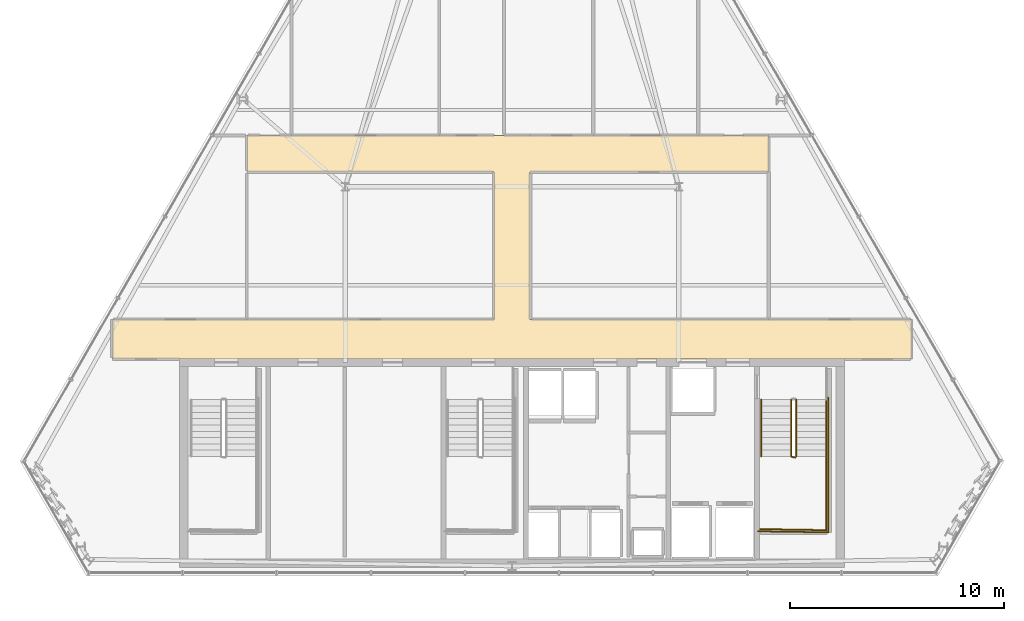
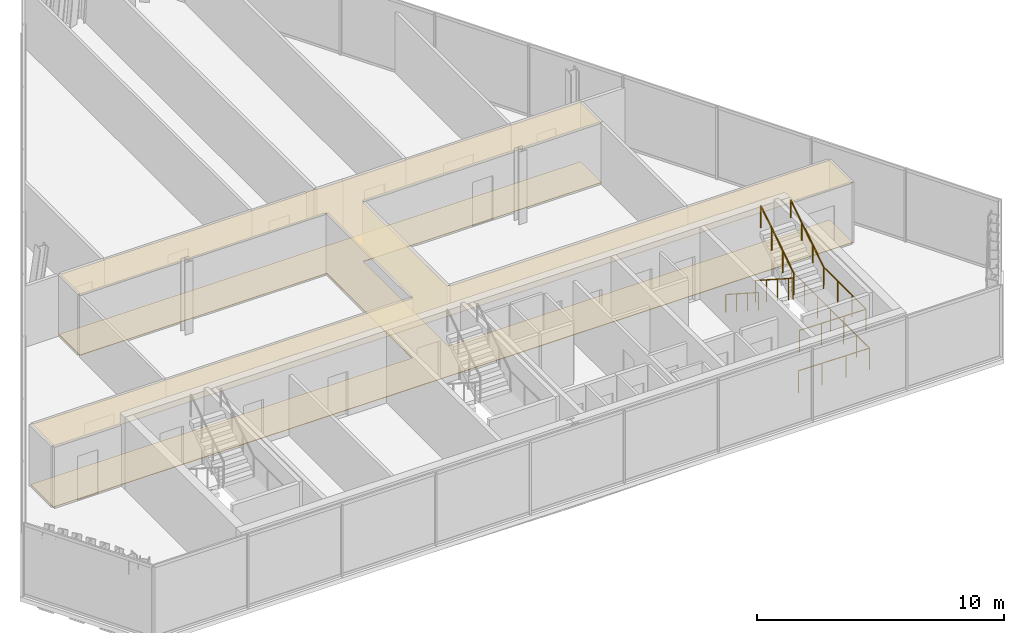
# One storey, part 31 of 32: 6 railings, 2 coverings.
"""IFC4 building model written with IfcOpenShell, lengths in metres."""

from ifc_helpers import new_model, si_unit, direction, frame, origin, origin_2d, place, context, subcontext, project, spatial, polyline, circle, outline, extrude, material, layer, layer_set, type_object, element, save


model = new_model("IFC4")

# Units and contexts
model_context = context("Model", 3, precision=1e-05, world=origin(), true_north=direction((0.0, 1.0)))
body_context = subcontext(model_context, "Body", "Model", "MODEL_VIEW")
ifc_project = project(units=[si_unit("LENGTHUNIT", "METRE"), si_unit("AREAUNIT", "SQUARE_METRE"), si_unit("VOLUMEUNIT", "CUBIC_METRE"), si_unit("PLANEANGLEUNIT", "RADIAN"), si_unit("MASSUNIT", "GRAM", prefix="KILO")], contexts=[model_context])

# Site, building, storey
site_placement = place(None, origin())
site = spatial("IfcSite", under=ifc_project, at=site_placement, CompositionType="ELEMENT")
building_placement = place(site_placement, origin())
building = spatial("IfcBuilding", under=site, at=building_placement, Name="Ndaravel Arena Tower", CompositionType="ELEMENT")
storey_placement = place(building_placement, frame((0.0, 0.0, 259.800048828125)))
storey = spatial("IfcBuildingStorey", under=building, at=storey_placement, Name="L63", CompositionType="ELEMENT", Elevation=259.800048828125)

# Coverings
ifc_material_1 = material(Name="Acoustic Ceiling Tile", Category="finish")
ifc_layer_1 = layer(ifc_material_1, 0.02490234375)
ifc_layer_set_1 = layer_set([ifc_layer_1], Name="Acoustic Ceiling Tile")
covering_type_1 = type_object("IfcCoveringType", Name="COV-CEIL-AC600", PredefinedType="CEILING", material=ifc_layer_set_1)
covering_1_placement = place(storey_placement, frame((0.0, 0.0, 2.98046875)))
element("IfcCovering", 1, at=covering_1_placement, inside=storey, type_object=covering_type_1, Name="L63 Corridor Acoustic Ceiling", PredefinedType="CEILING", context=body_context, shape_type="SweptSolid", body=[
    extrude(outline(polyline([(60.68505859375, 17.0), (42.85009765625, 17.0), (42.85009765625, 23.89990234375), (54.0, 23.89990234375), (54.0, 25.60009765625), (42.85009765625, 25.60009765625), (41.14990234375, 25.60009765625), (29.60009765625, 25.60009765625), (29.60009765625, 23.89990234375), (41.14990234375, 23.89990234375), (41.14990234375, 17.0), (23.31494140625, 17.0), (23.31494140625, 15.14990234375), (60.68505859375, 15.14990234375), (60.68505859375, 17.0)])), origin(), (0.0, 0.0, 1.0), 0.02490234375),
])
ifc_material_2 = material(Name="Terrazzo", Category="stone")
ifc_layer_2 = layer(ifc_material_2, 0.030029296875)
ifc_layer_set_2 = layer_set([ifc_layer_2], Name="Terrazzo")
covering_type_2 = type_object("IfcCoveringType", Name="COV-FLOOR-TERRAZZO", PredefinedType="FLOORING", material=ifc_layer_set_2)
covering_2_placement = place(storey_placement, origin())
element("IfcCovering", 2, at=covering_2_placement, inside=storey, type_object=covering_type_2, Name="L63 Corridor Terrazzo Flooring", PredefinedType="FLOORING", context=body_context, shape_type="SweptSolid", body=[
    extrude(outline(polyline([(60.68505859375, 17.0), (42.85009765625, 17.0), (42.85009765625, 23.89990234375), (54.0, 23.89990234375), (54.0, 25.60009765625), (42.85009765625, 25.60009765625), (41.14990234375, 25.60009765625), (29.60009765625, 25.60009765625), (29.60009765625, 23.89990234375), (41.14990234375, 23.89990234375), (41.14990234375, 17.0), (23.31494140625, 17.0), (23.31494140625, 15.14990234375), (60.68505859375, 15.14990234375), (60.68505859375, 17.0)])), origin(), (0.0, 0.0, 1.0), 0.030029296875),
])

# Railings
ifc_material_3 = material(Name="Steel S355", Category="steel")
ifc_layer_3 = layer(ifc_material_3, 0.06005859375)
ifc_layer_set_3 = layer_set([ifc_layer_3], Name="Steel S355")
railing_type_1 = type_object("IfcRailingType", Name="RAIL-STAIR-GD1100", PredefinedType="GUARDRAIL", material=ifc_layer_set_3)
railing_1_placement = place(storey_placement, frame((55.050048828125, 13.25, 0.18994140625)))
element("IfcRailing", 3, at=railing_1_placement, inside=storey, type_object=railing_type_1, Name="L63 ST-3 stair guard 1", PredefinedType="GUARDRAIL", context=body_context, shape_type="SweptSolid", body=[
    extrude(circle(Radius=0.02392578125, at=origin_2d()), frame((0.0, 0.0, 1.076171875), z_axis=(0.0, -0.840723540582, 0.54146461409), x_axis=(1.0, 0.0, 0.0)), (0.0, 0.0, 1.0), 3.157958984375),
    extrude(circle(Radius=0.02392578125, at=origin_2d()), frame((0.0, -2.655029296875, 2.7861328125), z_axis=(0.966993988697, -0.254799187253, 0.0), x_axis=(0.254799187253, 0.966993988697, 0.0)), (0.0, 0.0, 1.0), 0.196533203125),
    extrude(circle(Radius=0.02099609375, at=origin_2d()), origin(), (0.0, 0.0, 1.0), 1.052001953125),
    extrude(circle(Radius=0.02099609375, at=origin_2d()), frame((0.0, -0.885009765625, 0.570068359375)), (0.0, 0.0, 1.0), 1.052001953125),
    extrude(circle(Radius=0.02099609375, at=origin_2d()), frame((0.0, -1.77001953125, 1.139892578125)), (0.0, 0.0, 1.0), 1.052001953125),
    extrude(circle(Radius=0.02099609375, at=origin_2d()), frame((0.0, -2.655029296875, 1.7099609375)), (0.0, 0.0, 1.0), 1.052001953125),
    extrude(circle(Radius=0.02099609375, at=origin_2d()), frame((0.18994140625, -2.705078125, 1.7099609375)), (0.0, 0.0, 1.0), 1.052001953125),
])
railing_2_placement = place(storey_placement, frame((56.68994140625, 10.594970703125, 1.89990234375)))
element("IfcRailing", 4, at=railing_2_placement, inside=storey, type_object=railing_type_1, Name="L63 ST-3 stair guard 2", PredefinedType="GUARDRAIL", context=body_context, shape_type="SweptSolid", body=[
    extrude(circle(Radius=0.02392578125, at=origin_2d()), frame((0.0, 0.0, 1.076171875), z_axis=(0.0, -1.0, 0.0), x_axis=(1.0, 0.0, 0.0)), (0.0, 0.0, 1.0), 3.445068359375),
    extrude(circle(Radius=0.02392578125, at=origin_2d()), frame((0.0, -3.445068359375, 1.076171875), z_axis=(-0.999868840623, 0.016195726322, 0.0), x_axis=(-0.016195726322, -0.999868840623, 0.0)), (0.0, 0.0, 1.0), 3.09033203125),
    extrude(circle(Radius=0.02099609375, at=origin_2d()), origin(), (0.0, 0.0, 1.0), 1.052001953125),
    extrude(circle(Radius=0.02099609375, at=origin_2d()), frame((0.0, -1.1484375, 0.0)), (0.0, 0.0, 1.0), 1.052001953125),
    extrude(circle(Radius=0.02099609375, at=origin_2d()), frame((0.0, -2.296630859375, 0.0)), (0.0, 0.0, 1.0), 1.052001953125),
    extrude(circle(Radius=0.02099609375, at=origin_2d()), frame((0.0, -3.445068359375, 0.0)), (0.0, 0.0, 1.0), 1.052001953125),
    extrude(circle(Radius=0.02099609375, at=origin_2d()), frame((-1.030029296875, -3.428466796875, 0.0)), (0.0, 0.0, 1.0), 1.052001953125),
    extrude(circle(Radius=0.02099609375, at=origin_2d()), frame((-2.059814453125, -3.41162109375, 0.0)), (0.0, 0.0, 1.0), 1.052001953125),
    extrude(circle(Radius=0.02099609375, at=origin_2d()), frame((-3.08984375, -3.39501953125, 0.0)), (0.0, 0.0, 1.0), 1.052001953125),
])
railing_3_placement = place(storey_placement, frame((55.2900390625, 10.594970703125, 2.08984375)))
element("IfcRailing", 5, at=railing_3_placement, inside=storey, type_object=railing_type_1, Name="L63 ST-3 stair guard 3", PredefinedType="GUARDRAIL", context=body_context, shape_type="SweptSolid", body=[
    extrude(circle(Radius=0.02392578125, at=origin_2d()), frame((0.0, 0.0, 1.076171875), z_axis=(0.0, 0.840688348013, 0.541519253134), x_axis=(-1.0, 0.0, 0.0)), (0.0, 0.0, 1.0), 3.158203125),
    extrude(circle(Radius=0.02099609375, at=origin_2d()), origin(), (0.0, 0.0, 1.0), 1.052001953125),
    extrude(circle(Radius=0.02099609375, at=origin_2d()), frame((0.0, 0.885009765625, 0.570068359375)), (0.0, 0.0, 1.0), 1.052001953125),
    extrude(circle(Radius=0.02099609375, at=origin_2d()), frame((0.0, 1.77001953125, 1.14013671875)), (0.0, 0.0, 1.0), 1.052001953125),
    extrude(circle(Radius=0.02099609375, at=origin_2d()), frame((0.0, 2.655029296875, 1.710205078125)), (0.0, 0.0, 1.0), 1.052001953125),
])
railing_4_placement = place(storey_placement, frame((56.7900390625, 13.35009765625, 0.0)))
element("IfcRailing", 6, at=railing_4_placement, inside=storey, type_object=railing_type_1, Name="L63 ST-3 stair guard 6", PredefinedType="GUARDRAIL", context=body_context, shape_type="SweptSolid", body=[
    extrude(circle(Radius=0.02392578125, at=origin_2d()), frame((0.0, 0.0, 1.076171875), z_axis=(0.0, -1.0, 0.0), x_axis=(1.0, 0.0, 0.0)), (0.0, 0.0, 1.0), 6.300048828125),
    extrude(circle(Radius=0.02392578125, at=origin_2d()), frame((0.0, -6.300048828125, 1.076171875), z_axis=(-0.99988431412, 0.015210469308, 0.0), x_axis=(-0.015210469308, -0.99988431412, 0.0)), (0.0, 0.0, 1.0), 3.29052734375),
    extrude(circle(Radius=0.02099609375, at=origin_2d()), origin(), (0.0, 0.0, 1.0), 1.052001953125),
    extrude(circle(Radius=0.02099609375, at=origin_2d()), frame((0.0, -1.050048828125, 0.0)), (0.0, 0.0, 1.0), 1.052001953125),
    extrude(circle(Radius=0.02099609375, at=origin_2d()), frame((0.0, -2.10009765625, 0.0)), (0.0, 0.0, 1.0), 1.052001953125),
    extrude(circle(Radius=0.02099609375, at=origin_2d()), frame((0.0, -3.14990234375, 0.0)), (0.0, 0.0, 1.0), 1.052001953125),
    extrude(circle(Radius=0.02099609375, at=origin_2d()), frame((0.0, -4.199951171875, 0.0)), (0.0, 0.0, 1.0), 1.052001953125),
    extrude(circle(Radius=0.02099609375, at=origin_2d()), frame((0.0, -5.25, 0.0)), (0.0, 0.0, 1.0), 1.052001953125),
    extrude(circle(Radius=0.02099609375, at=origin_2d()), frame((0.0, -6.300048828125, 0.0)), (0.0, 0.0, 1.0), 1.052001953125),
    extrude(circle(Radius=0.02099609375, at=origin_2d()), frame((-1.0966796875, -6.283447265625, 0.0)), (0.0, 0.0, 1.0), 1.052001953125),
    extrude(circle(Radius=0.02099609375, at=origin_2d()), frame((-2.193359375, -6.2666015625, 0.0)), (0.0, 0.0, 1.0), 1.052001953125),
    extrude(circle(Radius=0.02099609375, at=origin_2d()), frame((-3.2900390625, -6.25, 0.0)), (0.0, 0.0, 1.0), 1.052001953125),
])
ifc_material_4 = material(Name="Steel S355", Category="steel")
ifc_layer_4 = layer(ifc_material_4, 0.050048828125)
ifc_layer_set_4 = layer_set([ifc_layer_4], Name="Steel S355")
railing_type_2 = type_object("IfcRailingType", Name="RAIL-STAIR-HR920", PredefinedType="HANDRAIL", material=ifc_layer_set_4)
railing_5_placement = place(storey_placement, frame((53.64990234375, 13.25, 0.18994140625)))
element("IfcRailing", 7, at=railing_5_placement, inside=storey, type_object=railing_type_2, Name="L63 ST-3 stair handrail 1", PredefinedType="HANDRAIL", context=body_context, shape_type="SweptSolid", body=[
    extrude(circle(Radius=0.02392578125, at=origin_2d()), frame((0.0, 0.0, 0.8759765625), z_axis=(0.0, -0.840723540582, 0.54146461409), x_axis=(1.0, 0.0, 0.0)), (0.0, 0.0, 1.0), 3.157958984375),
    extrude(circle(Radius=0.02099609375, at=origin_2d()), origin(), (0.0, 0.0, 1.0), 0.851806640625),
    extrude(circle(Radius=0.02099609375, at=origin_2d()), frame((0.0, -0.885009765625, 0.570068359375)), (0.0, 0.0, 1.0), 0.851806640625),
    extrude(circle(Radius=0.02099609375, at=origin_2d()), frame((0.0, -1.77001953125, 1.139892578125)), (0.0, 0.0, 1.0), 0.851806640625),
    extrude(circle(Radius=0.02099609375, at=origin_2d()), frame((0.0, -2.655029296875, 1.7099609375)), (0.0, 0.0, 1.0), 0.851806640625),
])
railing_6_placement = place(storey_placement, frame((56.68994140625, 10.594970703125, 2.08984375)))
element("IfcRailing", 8, at=railing_6_placement, inside=storey, type_object=railing_type_2, Name="L63 ST-3 stair handrail 2", PredefinedType="HANDRAIL", context=body_context, shape_type="SweptSolid", body=[
    extrude(circle(Radius=0.02392578125, at=origin_2d()), frame((0.0, 0.0, 0.8759765625), z_axis=(0.0, 0.840688348013, 0.541519253134), x_axis=(-1.0, 0.0, 0.0)), (0.0, 0.0, 1.0), 3.158203125),
    extrude(circle(Radius=0.02099609375, at=origin_2d()), origin(), (0.0, 0.0, 1.0), 0.851806640625),
    extrude(circle(Radius=0.02099609375, at=origin_2d()), frame((0.0, 0.885009765625, 0.570068359375)), (0.0, 0.0, 1.0), 0.851806640625),
    extrude(circle(Radius=0.02099609375, at=origin_2d()), frame((0.0, 1.77001953125, 1.14013671875)), (0.0, 0.0, 1.0), 0.851806640625),
    extrude(circle(Radius=0.02099609375, at=origin_2d()), frame((0.0, 2.655029296875, 1.710205078125)), (0.0, 0.0, 1.0), 0.851806640625),
])

save(model, "model.ifc")
